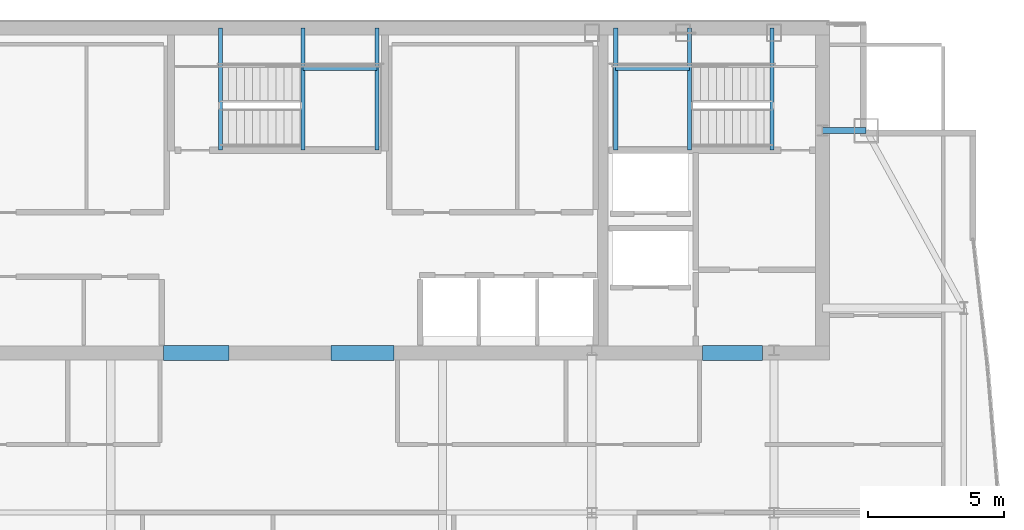
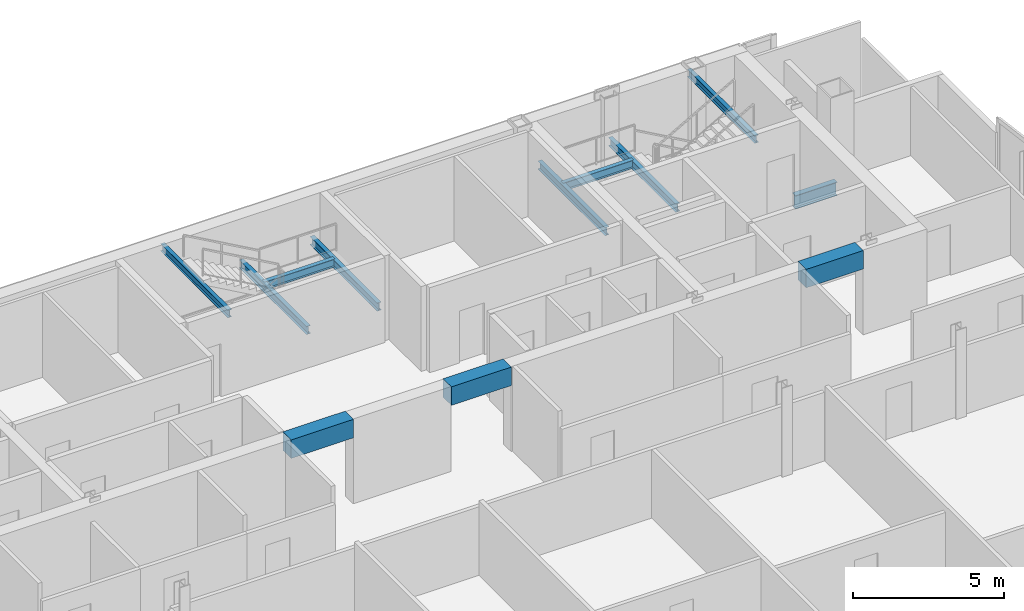
# One storey, part 17 of 25: 12 beams.
"""IFC4 building model written with IfcOpenShell, lengths in metres."""

from ifc_helpers import new_model, si_unit, direction, frame, origin, origin_2d, place, context, subcontext, project, spatial, rectangle, i_section, extrude, material, material_profile, profile_set, type_object, element, save


model = new_model("IFC4")

# Units and contexts
model_context = context("Model", 3, precision=1e-05, world=origin(), true_north=direction((0.0, 1.0)))
body_context = subcontext(model_context, "Body", "Model", "MODEL_VIEW")
ifc_project = project(units=[si_unit("LENGTHUNIT", "METRE"), si_unit("AREAUNIT", "SQUARE_METRE"), si_unit("VOLUMEUNIT", "CUBIC_METRE"), si_unit("PLANEANGLEUNIT", "RADIAN"), si_unit("MASSUNIT", "GRAM", prefix="KILO")], contexts=[model_context])

# Site, building, storey
site_placement = place(None, origin())
site = spatial("IfcSite", under=ifc_project, at=site_placement, CompositionType="ELEMENT")
building_placement = place(site_placement, origin())
building = spatial("IfcBuilding", under=site, at=building_placement, Name="Khoronbel Lancet Exchange", CompositionType="ELEMENT")
storey_placement = place(building_placement, frame((0.0, 0.0, 298.60009765625)))
storey = spatial("IfcBuildingStorey", under=building, at=storey_placement, Name="L77", CompositionType="ELEMENT", Elevation=298.60009765625)

# Beams
ifc_material_1 = material(Name="Steel S355", Category="steel")
ifc_material_profile_1 = material_profile(ifc_material_1, i_section(OverallWidth=0.159912109375, OverallDepth=0.330078125, WebThickness=0.007568359375, FlangeThickness=0.011474609375, at=origin_2d()), Name="IPE 330")
ifc_profile_set_1 = profile_set([ifc_material_profile_1], Name="Steel S355")
beam_type_1 = type_object("IfcBeamType", Name="BM-BJ7", PredefinedType="JOIST", material=ifc_profile_set_1)
for number, where, z_axis, x_axis, name in (
    (1, (51.580078125, 48.97998046875, 1.434814453125), (0.0, 1.0, 0.0), (-1.0, 0.0, 0.0), "Level L77 stair ST2 landing bearer beam 1"),
    (2, (48.8701171875, 48.97998046875, 1.434814453125), (0.0, 1.0, 0.0), (-1.0, 0.0, 0.0), "Level L77 stair ST2 rear landing bearer beam 1"),
):
    element("IfcBeam", number, at=place(storey_placement, frame(where, z_axis=z_axis, x_axis=x_axis)), inside=storey, type_object=beam_type_1, Name=name, PredefinedType="JOIST", context=body_context, shape_type="SweptSolid", body=[
        extrude(i_section(OverallWidth=0.159912109375, OverallDepth=0.330078125, WebThickness=0.007568359375, FlangeThickness=0.011474609375, at=origin_2d()), origin(), (0.0, 0.0, 1.0), 4.469970703125),
    ])
beam_1_placement = place(storey_placement, frame((48.8701171875, 51.97998046875, 1.434814453125), z_axis=(1.0, 0.0, 0.0), x_axis=(0.0, 1.0, 0.0)))
element("IfcBeam", 3, at=beam_1_placement, inside=storey, type_object=beam_type_1, Name="Level L77 stair ST2 landing cross trimmer beam 1", PredefinedType="JOIST", context=body_context, shape_type="SweptSolid", body=[
    extrude(i_section(OverallWidth=0.159912109375, OverallDepth=0.330078125, WebThickness=0.007568359375, FlangeThickness=0.011474609375, at=origin_2d()), origin(), (0.0, 0.0, 1.0), 2.7099609375),
])
for number, where, z_axis, x_axis, name in (
    (4, (37.419921875, 48.97998046875, 1.434814453125), (0.0, 1.0, 0.0), (-1.0, 0.0, 0.0), "Level L77 stair ST3 landing bearer beam 1"),
    (5, (40.1298828125, 48.97998046875, 1.434814453125), (0.0, 1.0, 0.0), (-1.0, 0.0, 0.0), "Level L77 stair ST3 rear landing bearer beam 1"),
):
    element("IfcBeam", number, at=place(storey_placement, frame(where, z_axis=z_axis, x_axis=x_axis)), inside=storey, type_object=beam_type_1, Name=name, PredefinedType="JOIST", context=body_context, shape_type="SweptSolid", body=[
        extrude(i_section(OverallWidth=0.159912109375, OverallDepth=0.330078125, WebThickness=0.007568359375, FlangeThickness=0.011474609375, at=origin_2d()), origin(), (0.0, 0.0, 1.0), 4.469970703125),
    ])
beam_2_placement = place(storey_placement, frame((37.419921875, 51.97998046875, 1.434814453125), z_axis=(1.0, 0.0, 0.0), x_axis=(0.0, 1.0, 0.0)))
element("IfcBeam", 6, at=beam_2_placement, inside=storey, type_object=beam_type_1, Name="Level L77 stair ST3 landing cross trimmer beam 1", PredefinedType="JOIST", context=body_context, shape_type="SweptSolid", body=[
    extrude(i_section(OverallWidth=0.159912109375, OverallDepth=0.330078125, WebThickness=0.007568359375, FlangeThickness=0.011474609375, at=origin_2d()), origin(), (0.0, 0.0, 1.0), 2.7099609375),
])
ifc_material_profile_2 = material_profile(ifc_material_1, i_section(OverallWidth=0.14990234375, OverallDepth=0.300048828125, WebThickness=0.007080078125, FlangeThickness=0.0107421875, at=origin_2d()), Name="IPE 300")
ifc_profile_set_2 = profile_set([ifc_material_profile_2], Name="Steel S355")
beam_type_2 = type_object("IfcBeamType", Name="BM-BJ8", PredefinedType="JOIST", material=ifc_profile_set_2)
for number, where, z_axis, x_axis, name in (
    (7, (54.60009765625, 48.97998046875, 3.159912109375), (0.0, 1.0, 0.0), (-1.0, 0.0, 0.0), "Level L77 stair ST2 upper-flight arrival trimmer beam"),
    (8, (34.39990234375, 48.97998046875, 3.159912109375), (0.0, 1.0, 0.0), (-1.0, 0.0, 0.0), "Level L77 stair ST3 upper-flight arrival trimmer beam"),
):
    element("IfcBeam", number, at=place(storey_placement, frame(where, z_axis=z_axis, x_axis=x_axis)), inside=storey, type_object=beam_type_2, Name=name, PredefinedType="JOIST", context=body_context, shape_type="SweptSolid", body=[
        extrude(i_section(OverallWidth=0.14990234375, OverallDepth=0.300048828125, WebThickness=0.007080078125, FlangeThickness=0.0107421875, at=origin_2d()), origin(), (0.0, 0.0, 1.0), 4.469970703125),
    ])
ifc_material_2 = material(Name="Concrete C60/75", Category="concrete")
ifc_material_profile_3 = material_profile(ifc_material_2, rectangle(XDim=0.550048828125, YDim=0.75, at=origin_2d()), Name="RC 550x750")
ifc_profile_set_3 = profile_set([ifc_material_profile_3], Name="Concrete C60/75")
beam_type_3 = type_object("IfcBeamType", Name="BM-BL2", PredefinedType="LINTEL", material=ifc_profile_set_3)
beam_3_placement = place(storey_placement, frame((32.300048828125, 41.550048828125, 3.06494140625), z_axis=(1.0, 0.0, 0.0), x_axis=(0.0, 1.0, 0.0)))
element("IfcBeam", 9, at=beam_3_placement, inside=storey, type_object=beam_type_3, Name="Level L77 rear core coupling lintel L2", PredefinedType="LINTEL", context=body_context, shape_type="SweptSolid", body=[
    extrude(rectangle(XDim=0.550048828125, YDim=0.75, at=origin_2d()), origin(), (0.0, 0.0, 1.0), 2.39990234375),
])
beam_4_placement = place(storey_placement, frame((38.449951171875, 41.550048828125, 3.06494140625), z_axis=(1.0, 0.0, 0.0), x_axis=(0.0, 1.0, 0.0)))
element("IfcBeam", 10, at=beam_4_placement, inside=storey, type_object=beam_type_3, Name="Level L77 rear core coupling lintel L3", PredefinedType="LINTEL", context=body_context, shape_type="SweptSolid", body=[
    extrude(rectangle(XDim=0.550048828125, YDim=0.75, at=origin_2d()), origin(), (0.0, 0.0, 1.0), 2.300048828125),
])
beam_5_placement = place(storey_placement, frame((52.050048828125, 41.550048828125, 3.06494140625), z_axis=(1.0, 0.0, 0.0), x_axis=(0.0, 1.0, 0.0)))
element("IfcBeam", 11, at=beam_5_placement, inside=storey, type_object=beam_type_3, Name="Level L77 rear core coupling lintel L4", PredefinedType="LINTEL", context=body_context, shape_type="SweptSolid", body=[
    extrude(rectangle(XDim=0.550048828125, YDim=0.75, at=origin_2d()), origin(), (0.0, 0.0, 1.0), 2.199951171875),
])
ifc_material_profile_4 = material_profile(ifc_material_1, i_section(OverallWidth=0.2099609375, OverallDepth=0.550048828125, WebThickness=0.010986328125, FlangeThickness=0.01708984375, at=origin_2d()), Name="IPE 550")
ifc_profile_set_4 = profile_set([ifc_material_profile_4], Name="Steel S355")
beam_type_4 = type_object("IfcBeamType", Name="BM-BSP3", PredefinedType="SPANDREL", material=ifc_profile_set_4)
beam_6_placement = place(storey_placement, frame((58.050048828125, 49.699951171875, -0.43505859375), z_axis=(-1.0, 0.0, 0.0), x_axis=(0.0, -1.0, 0.0)))
element("IfcBeam", 12, at=beam_6_placement, inside=storey, type_object=beam_type_4, Name="Level L77 north flank tie spandrel SP23", PredefinedType="SPANDREL", context=body_context, shape_type="SweptSolid", body=[
    extrude(i_section(OverallWidth=0.2099609375, OverallDepth=0.550048828125, WebThickness=0.010986328125, FlangeThickness=0.01708984375, at=origin_2d()), origin(), (0.0, 0.0, 1.0), 1.60009765625),
])

save(model, "model.ifc")
